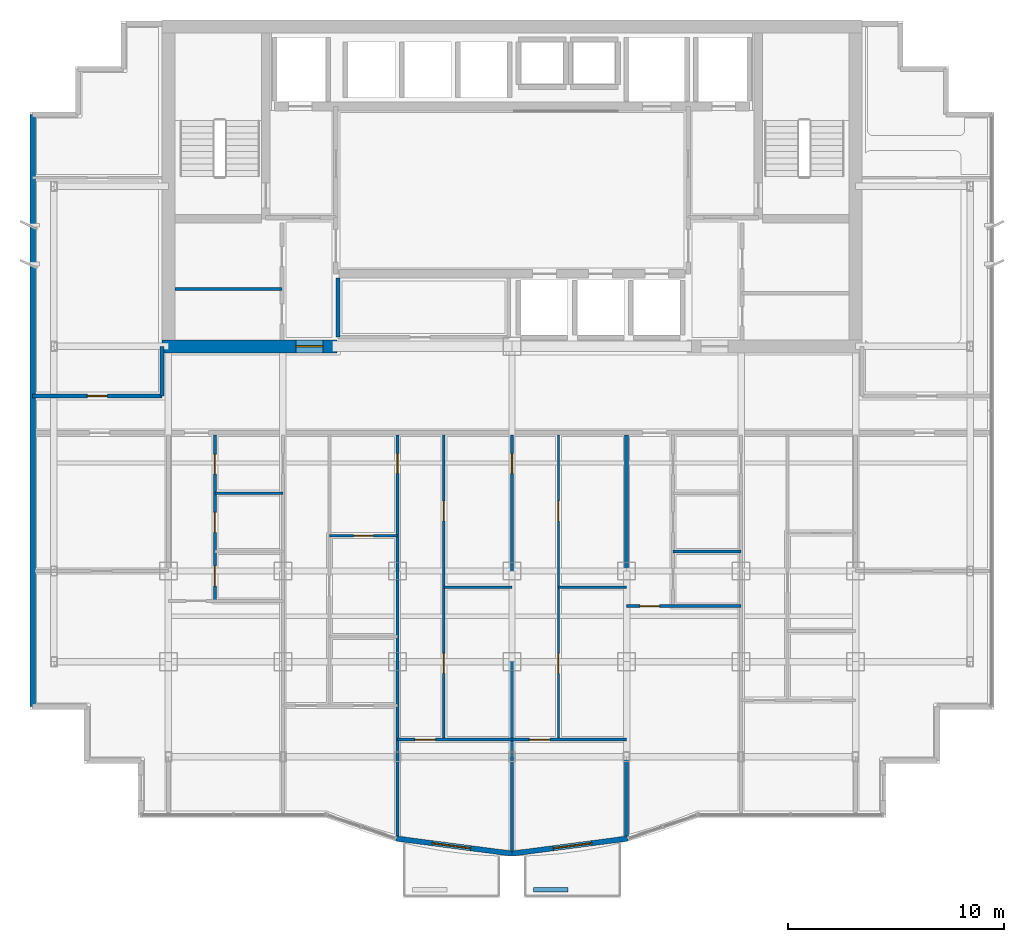
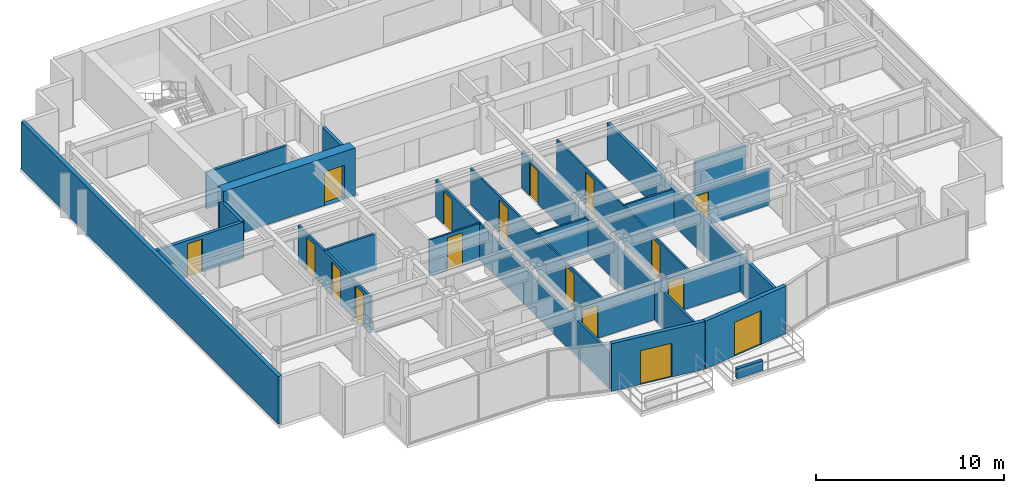
# One storey, part 8 of 13: 23 walls, 17 doors, 17 openings.
"""IFC4 building model written with IfcOpenShell, lengths in metres."""

from ifc_helpers import new_model, si_unit, direction, frame, frame_2d, origin, place, context, subcontext, project, spatial, rectangle, extrude, material, layer, layer_set, type_object, element, fill, save


model = new_model("IFC4")

# Units and contexts
model_context = context("Model", 3, precision=1e-05, world=origin(), true_north=direction((0.0, 1.0)))
body_context = subcontext(model_context, "Body", "Model", "MODEL_VIEW")
ifc_project = project(units=[si_unit("LENGTHUNIT", "METRE"), si_unit("AREAUNIT", "SQUARE_METRE"), si_unit("VOLUMEUNIT", "CUBIC_METRE"), si_unit("PLANEANGLEUNIT", "RADIAN"), si_unit("MASSUNIT", "GRAM", prefix="KILO")], contexts=[model_context])

# Site, building, storey
site_placement = place(None, origin())
site = spatial("IfcSite", under=ifc_project, at=site_placement, CompositionType="ELEMENT")
building_placement = place(site_placement, origin())
building = spatial("IfcBuilding", under=site, at=building_placement, Name="Qianlan Lanfeng Residences", CompositionType="ELEMENT")
storey_placement = place(building_placement, frame((0.0, 0.0, 178.800048828125)))
storey = spatial("IfcBuildingStorey", under=building, at=storey_placement, Name="L49", CompositionType="ELEMENT", Elevation=178.800048828125)

# Wall, opening, door
ifc_material_1 = material(Name="Concrete C56", Category="concrete")
ifc_layer_1 = layer(ifc_material_1, 0.60009765625)
ifc_layer_set_1 = layer_set([ifc_layer_1], Name="Concrete C56")
wall_type_1 = type_object("IfcWallType", Name="CW-RC-600", PredefinedType="SHEAR", material=ifc_layer_set_1)
wall_1_placement = place(storey_placement, frame((10.300048828125, 25.199951171875, 0.0), z_axis=(0.0, 0.0, 1.0), x_axis=(1.0, 0.0, 0.0)))
wall_1 = element("IfcWall", 1, at=wall_1_placement, inside=storey, type_object=wall_type_1, Name="L49 Core Shear Wall SW", PredefinedType="SHEAR", context=body_context, shape_type="SweptSolid", body=[
    extrude(rectangle(XDim=8.099853515625, YDim=0.60009765625, at=frame_2d((4.0498046875, 0.0))), origin(), (0.0, 0.0, 1.0), 3.099853515625),
])
opening_1_placement = place(wall_1_placement, frame((6.199951171875, 0.0, 0.0)))
opening_1 = element("IfcOpeningElement", 2, at=opening_1_placement, cuts=wall_1, Name="Opening L49-D01", PredefinedType="OPENING", context=body_context, shape_type="SweptSolid", body=[
    extrude(rectangle(XDim=1.25, YDim=2.199951171875, at=frame_2d((0.625, 1.10009765625))), frame((0.0, 0.31005859375, 0.0), z_axis=(0.0, -1.0, 0.0), x_axis=(1.0, 0.0, 0.0)), (0.0, 0.0, 1.0), 0.6201171875),
])
ifc_material_2 = material(Name="Painted Galvanised Steel Fire Door", Category="steel")
door_type_1 = type_object("IfcDoorType", Name="DT-FFL", OperationType="NOTDEFINED", PredefinedType="DOOR", material=ifc_material_2)
door_1_placement = place(opening_1_placement, frame((1.25, 0.0, 0.0), z_axis=(0.0, 0.0, 1.0), x_axis=(-1.0, 0.0, 0.0)))
door_1 = element("IfcDoor", 3, at=door_1_placement, inside=storey, type_object=door_type_1, Name="L49 West Core Lobby Smoke Door L49-D01 (DT-FFL)", OperationType="SINGLE_SWING_RIGHT", OverallHeight=2.199951171875, OverallWidth=1.25, PredefinedType="DOOR", context=body_context, shape_type="SweptSolid", body=[
    extrude(rectangle(XDim=1.25, YDim=2.199951171875, at=frame_2d((0.625, 1.10009765625))), frame((0.0, 0.02490234375, 0.0), z_axis=(0.0, -1.0, 0.0), x_axis=(1.0, 0.0, 0.0)), (0.0, 0.0, 1.0), 0.050048828125),
])
fill(opening_1, door_1)

ifc_material_3 = material(Name="Concrete C42", Category="concrete")
ifc_layer_2 = layer(ifc_material_3, 0.239990234375)
ifc_layer_set_2 = layer_set([ifc_layer_2], Name="Concrete C42")
wall_type_2 = type_object("IfcWallType", Name="EW-240", PredefinedType="SOLIDWALL", material=ifc_layer_set_2)
wall_2_placement = place(storey_placement, frame((21.14208984375, 2.4189453125, 0.0), z_axis=(0.0, 0.0, 1.0), x_axis=(0.991597639478, -0.129360432053, 0.0)))
wall_2 = element("IfcWall", 4, at=wall_2_placement, inside=storey, type_object=wall_type_2, Name="L49 Terrace/Balcony Access Exterior Wall 5", PredefinedType="SOLIDWALL", context=body_context, shape_type="SweptSolid", body=[
    extrude(rectangle(XDim=5.4033203125, YDim=0.239990234375, at=frame_2d((2.70166015625, 0.0))), origin(), (0.0, 0.0, 1.0), 3.099853515625),
])
opening_2_placement = place(wall_2_placement, frame((1.672119140625, 0.0, 0.0)))
opening_2 = element("IfcOpeningElement", 5, at=opening_2_placement, cuts=wall_2, Name="Opening L49-D-SB-W", PredefinedType="OPENING", context=body_context, shape_type="SweptSolid", body=[
    extrude(rectangle(XDim=1.800048828125, YDim=2.199951171875, at=frame_2d((0.89990234375, 1.10009765625))), frame((0.0, 0.1298828125, 0.0), z_axis=(0.0, -1.0, 0.0), x_axis=(1.0, 0.0, 0.0)), (0.0, 0.0, 1.0), 0.260009765625),
])
ifc_material_4 = material(Name="Anodised Bronze Aluminium Framed Glass", Category="aluminium")
door_type_2 = type_object("IfcDoorType", Name="DT-BAL1", OperationType="NOTDEFINED", PredefinedType="DOOR", material=ifc_material_4)
door_2_placement = place(opening_2_placement, frame((1.800048828125, 0.0, 0.0), z_axis=(0.0, 0.0, 1.0), x_axis=(-1.0, 0.0, 0.0)))
door_2 = element("IfcDoor", 6, at=door_2_placement, inside=storey, type_object=door_type_2, Name="L49 Exterior Access Door SB-W", OperationType="DOUBLE_DOOR_SLIDING", OverallHeight=2.199951171875, OverallWidth=1.800048828125, PredefinedType="DOOR", context=body_context, shape_type="SweptSolid", body=[
    extrude(rectangle(XDim=1.800048828125, YDim=2.199951171875, at=frame_2d((0.89990234375, 1.10009765625))), frame((0.0, 0.02490234375, 0.0), z_axis=(0.0, -1.0, 0.0), x_axis=(1.0, 0.0, 0.0)), (0.0, 0.0, 1.0), 0.050048828125),
])
fill(opening_2, door_2)

wall_3_placement = place(storey_placement, frame((26.5, 1.719970703125, 0.0), z_axis=(0.0, 0.0, 1.0), x_axis=(0.991594614239, 0.129383619568, 0.0)))
wall_3 = element("IfcWall", 7, at=wall_3_placement, inside=storey, type_object=wall_type_2, Name="L49 Terrace/Balcony Access Exterior Wall 6", PredefinedType="SOLIDWALL", context=body_context, shape_type="SweptSolid", body=[
    extrude(rectangle(XDim=5.40234375, YDim=0.239990234375, at=frame_2d((2.701171875, 0.0))), origin(), (0.0, 0.0, 1.0), 3.099853515625),
])
opening_3_placement = place(wall_3_placement, frame((1.930908203125, 0.0, 0.0)))
opening_3 = element("IfcOpeningElement", 8, at=opening_3_placement, cuts=wall_3, Name="Opening L49-D-SB-E", PredefinedType="OPENING", context=body_context, shape_type="SweptSolid", body=[
    extrude(rectangle(XDim=1.800048828125, YDim=2.199951171875, at=frame_2d((0.89990234375, 1.10009765625))), frame((0.0, 0.1298828125, 0.0), z_axis=(0.0, -1.0, 0.0), x_axis=(1.0, 0.0, 0.0)), (0.0, 0.0, 1.0), 0.260009765625),
])
door_3_placement = place(opening_3_placement, frame((1.800048828125, 0.0, 0.0), z_axis=(0.0, 0.0, 1.0), x_axis=(-1.0, 0.0, 0.0)))
door_3 = element("IfcDoor", 9, at=door_3_placement, inside=storey, type_object=door_type_2, Name="L49 Exterior Access Door SB-E", OperationType="DOUBLE_DOOR_SLIDING", OverallHeight=2.199951171875, OverallWidth=1.800048828125, PredefinedType="DOOR", context=body_context, shape_type="SweptSolid", body=[
    extrude(rectangle(XDim=1.800048828125, YDim=2.199951171875, at=frame_2d((0.89990234375, 1.10009765625))), frame((0.0, 0.02490234375, 0.0), z_axis=(0.0, -1.0, 0.0), x_axis=(1.0, 0.0, 0.0)), (0.0, 0.0, 1.0), 0.050048828125),
])
fill(opening_3, door_3)

# Walls
wall_4_placement = place(storey_placement, frame((4.320068359375, 35.929931640625, 0.0), z_axis=(0.0, 0.0, 1.0), x_axis=(0.0, -1.0, 0.0)))
element("IfcWall", 10, at=wall_4_placement, inside=storey, type_object=wall_type_2, Name="L49 Exterior Facade Spandrel Wall 21", PredefinedType="SOLIDWALL", context=body_context, shape_type="SweptSolid", body=[
    extrude(rectangle(XDim=27.409912109375, YDim=0.239990234375, at=frame_2d((13.705078125, 0.0))), origin(), (0.0, 0.0, 1.0), 3.099853515625),
])
ifc_layer_3 = layer(ifc_material_3, 0.199951171875)
ifc_layer_set_3 = layer_set([ifc_layer_3], Name="Concrete C42")
wall_type_3 = type_object("IfcWallType", Name="PL-TREE-200", PredefinedType="PARAPET", material=ifc_layer_set_3)
wall_5_placement = place(storey_placement, frame((27.5, 0.050048828125, 0.0), z_axis=(0.0, 0.0, 1.0), x_axis=(1.0, 0.0, 0.0)))
element("IfcWall", 11, at=wall_5_placement, inside=storey, type_object=wall_type_3, Name="L49 Balcony Tree Planter Curb SB-E", PredefinedType="PARAPET", context=body_context, shape_type="SweptSolid", body=[
    extrude(rectangle(XDim=1.60009765625, YDim=0.199951171875, at=frame_2d((0.800048828125, 0.0))), origin(), (0.0, 0.0, 1.0), 0.64990234375),
])

# Wall, opening, door
ifc_material_5 = material(Name="Demountable Acoustic Framing Partition 110 mm")
ifc_layer_4 = layer(ifc_material_5, 0.110107421875)
ifc_layer_set_4 = layer_set([ifc_layer_4], Name="Demountable Acoustic Framing Partition 110 mm")
wall_type_4 = type_object("IfcWallType", Name="PW-110", PredefinedType="MOVABLE", material=ifc_layer_set_4)
wall_6_placement = place(storey_placement, frame((18.050048828125, 16.43701171875, 0.0), z_axis=(0.0, 0.0, 1.0), x_axis=(1.0, 0.0, 0.0)))
wall_6 = element("IfcWall", 12, at=wall_6_placement, inside=storey, type_object=wall_type_4, Name="L49 U01 Wardrobe Split", PredefinedType="MOVABLE", context=body_context, shape_type="SweptSolid", body=[
    extrude(rectangle(XDim=3.14990234375, YDim=0.110107421875, at=frame_2d((1.574951171875, 0.0))), origin(), (0.0, 0.0, 1.0), 2.3798828125),
])
opening_4_placement = place(wall_6_placement, frame((1.114990234375, 0.0, 0.0)))
opening_4 = element("IfcOpeningElement", 13, at=opening_4_placement, cuts=wall_6, Name="Opening L49-D27", PredefinedType="OPENING", context=body_context, shape_type="SweptSolid", body=[
    extrude(rectangle(XDim=0.919921875, YDim=2.14990234375, at=frame_2d((0.4599609375, 1.074951171875))), frame((0.0, 0.06494140625, 0.0), z_axis=(0.0, -1.0, 0.0), x_axis=(1.0, 0.0, 0.0)), (0.0, 0.0, 1.0), 0.130126953125),
])
ifc_material_6 = material(Name="Glazed Timber Kitchen/Study Door", Category="wood")
door_type_3 = type_object("IfcDoorType", Name="DT-INT", OperationType="NOTDEFINED", PredefinedType="DOOR", material=ifc_material_6)
door_4_placement = place(opening_4_placement, origin())
door_4 = element("IfcDoor", 14, at=door_4_placement, inside=storey, type_object=door_type_3, Name="L49 U01 Dressing Inner Door L49-D27 (DT-INT)", OperationType="SINGLE_SWING_LEFT", OverallHeight=2.14990234375, OverallWidth=0.919921875, PredefinedType="DOOR", context=body_context, shape_type="SweptSolid", body=[
    extrude(rectangle(XDim=0.919921875, YDim=2.14990234375, at=frame_2d((0.4599609375, 1.074951171875))), frame((0.0, 0.02490234375, 0.0), z_axis=(0.0, -1.0, 0.0), x_axis=(1.0, 0.0, 0.0)), (0.0, 0.0, 1.0), 0.050048828125),
])
fill(opening_4, door_4)

# Wall, openings, doors
wall_7_placement = place(storey_placement, frame((23.35009765625, 6.9990234375, 0.0), z_axis=(0.0, 0.0, 1.0), x_axis=(0.0, 1.0, 0.0)))
wall_7 = element("IfcWall", 15, at=wall_7_placement, inside=storey, type_object=wall_type_4, Name="L49 U01 Bedroom 2 Hall Wall", PredefinedType="MOVABLE", context=body_context, shape_type="SweptSolid", body=[
    extrude(rectangle(XDim=14.10107421875, YDim=0.110107421875, at=frame_2d((7.050537109375, 0.0))), origin(), (0.0, 0.0, 1.0), 2.3798828125),
])
opening_5_placement = place(wall_7_placement, frame((3.06591796875, 0.0, 0.0)))
opening_5 = element("IfcOpeningElement", 16, at=opening_5_placement, cuts=wall_7, Name="Opening L49-D29", PredefinedType="OPENING", context=body_context, shape_type="SweptSolid", body=[
    extrude(rectangle(XDim=0.919921875, YDim=2.14990234375, at=frame_2d((0.4599609375, 1.074951171875))), frame((0.0, 0.06494140625, 0.0), z_axis=(0.0, -1.0, 0.0), x_axis=(1.0, 0.0, 0.0)), (0.0, 0.0, 1.0), 0.130126953125),
])
opening_6_placement = place(wall_7_placement, frame((10.115966796875, 0.0, 0.0)))
opening_6 = element("IfcOpeningElement", 17, at=opening_6_placement, cuts=wall_7, Name="Opening L49-D30", PredefinedType="OPENING", context=body_context, shape_type="SweptSolid", body=[
    extrude(rectangle(XDim=0.919921875, YDim=2.14990234375, at=frame_2d((0.4599609375, 1.074951171875))), frame((0.0, 0.06494140625, 0.0), z_axis=(0.0, -1.0, 0.0), x_axis=(1.0, 0.0, 0.0)), (0.0, 0.0, 1.0), 0.130126953125),
])
door_5_placement = place(opening_5_placement, origin())
door_5 = element("IfcDoor", 18, at=door_5_placement, inside=storey, type_object=door_type_3, Name="L49 U01 Utility Door L49-D29 (DT-INT)", OperationType="SINGLE_SWING_LEFT", OverallHeight=2.14990234375, OverallWidth=0.919921875, PredefinedType="DOOR", context=body_context, shape_type="SweptSolid", body=[
    extrude(rectangle(XDim=0.919921875, YDim=2.14990234375, at=frame_2d((0.4599609375, 1.074951171875))), frame((0.0, 0.02490234375, 0.0), z_axis=(0.0, -1.0, 0.0), x_axis=(1.0, 0.0, 0.0)), (0.0, 0.0, 1.0), 0.050048828125),
])
fill(opening_5, door_5)
door_6_placement = place(opening_6_placement, origin())
door_6 = element("IfcDoor", 19, at=door_6_placement, inside=storey, type_object=door_type_3, Name="L49 U01 Specialty Door L49-D30 (DT-INT)", OperationType="SINGLE_SWING_RIGHT", OverallHeight=2.14990234375, OverallWidth=0.919921875, PredefinedType="DOOR", context=body_context, shape_type="SweptSolid", body=[
    extrude(rectangle(XDim=0.919921875, YDim=2.14990234375, at=frame_2d((0.4599609375, 1.074951171875))), frame((0.0, 0.02490234375, 0.0), z_axis=(0.0, -1.0, 0.0), x_axis=(1.0, 0.0, 0.0)), (0.0, 0.0, 1.0), 0.050048828125),
])
fill(opening_6, door_6)

# Wall
wall_8_placement = place(storey_placement, frame((23.35009765625, 14.050048828125, 0.0), z_axis=(0.0, 0.0, 1.0), x_axis=(1.0, 0.0, 0.0)))
element("IfcWall", 20, at=wall_8_placement, inside=storey, type_object=wall_type_4, Name="L49 U01 Specialty Split Wall", PredefinedType="MOVABLE", context=body_context, shape_type="SweptSolid", body=[
    extrude(rectangle(XDim=3.14990234375, YDim=0.110107421875, at=frame_2d((1.574951171875, 0.0))), origin(), (0.0, 0.0, 1.0), 2.3798828125),
])

# Wall, openings, doors
wall_9_placement = place(storey_placement, frame((28.64990234375, 6.9990234375, 0.0), z_axis=(0.0, 0.0, 1.0), x_axis=(0.0, 1.0, 0.0)))
wall_9 = element("IfcWall", 21, at=wall_9_placement, inside=storey, type_object=wall_type_4, Name="L49 U01 Bedroom 3 Hall Wall", PredefinedType="MOVABLE", context=body_context, shape_type="SweptSolid", body=[
    extrude(rectangle(XDim=14.10107421875, YDim=0.110107421875, at=frame_2d((7.050537109375, 0.0))), origin(), (0.0, 0.0, 1.0), 2.3798828125),
])
opening_7_placement = place(wall_9_placement, frame((3.06591796875, 0.0, 0.0)))
opening_7 = element("IfcOpeningElement", 22, at=opening_7_placement, cuts=wall_9, Name="Opening L49-D32", PredefinedType="OPENING", context=body_context, shape_type="SweptSolid", body=[
    extrude(rectangle(XDim=0.919921875, YDim=2.14990234375, at=frame_2d((0.4599609375, 1.074951171875))), frame((0.0, 0.06494140625, 0.0), z_axis=(0.0, -1.0, 0.0), x_axis=(1.0, 0.0, 0.0)), (0.0, 0.0, 1.0), 0.130126953125),
])
opening_8_placement = place(wall_9_placement, frame((10.115966796875, 0.0, 0.0)))
opening_8 = element("IfcOpeningElement", 23, at=opening_8_placement, cuts=wall_9, Name="Opening L49-D33", PredefinedType="OPENING", context=body_context, shape_type="SweptSolid", body=[
    extrude(rectangle(XDim=0.919921875, YDim=2.14990234375, at=frame_2d((0.4599609375, 1.074951171875))), frame((0.0, 0.06494140625, 0.0), z_axis=(0.0, -1.0, 0.0), x_axis=(1.0, 0.0, 0.0)), (0.0, 0.0, 1.0), 0.130126953125),
])
door_7_placement = place(opening_7_placement, origin())
door_7 = element("IfcDoor", 24, at=door_7_placement, inside=storey, type_object=door_type_3, Name="L49 U01 Utility Door L49-D32 (DT-INT)", OperationType="SINGLE_SWING_RIGHT", OverallHeight=2.14990234375, OverallWidth=0.919921875, PredefinedType="DOOR", context=body_context, shape_type="SweptSolid", body=[
    extrude(rectangle(XDim=0.919921875, YDim=2.14990234375, at=frame_2d((0.4599609375, 1.074951171875))), frame((0.0, 0.02490234375, 0.0), z_axis=(0.0, -1.0, 0.0), x_axis=(1.0, 0.0, 0.0)), (0.0, 0.0, 1.0), 0.050048828125),
])
fill(opening_7, door_7)
door_8_placement = place(opening_8_placement, origin())
door_8 = element("IfcDoor", 25, at=door_8_placement, inside=storey, type_object=door_type_3, Name="L49 U01 Specialty Door L49-D33 (DT-INT)", OperationType="SINGLE_SWING_LEFT", OverallHeight=2.14990234375, OverallWidth=0.919921875, PredefinedType="DOOR", context=body_context, shape_type="SweptSolid", body=[
    extrude(rectangle(XDim=0.919921875, YDim=2.14990234375, at=frame_2d((0.4599609375, 1.074951171875))), frame((0.0, 0.02490234375, 0.0), z_axis=(0.0, -1.0, 0.0), x_axis=(1.0, 0.0, 0.0)), (0.0, 0.0, 1.0), 0.050048828125),
])
fill(opening_8, door_8)

# Wall
wall_10_placement = place(storey_placement, frame((28.64990234375, 14.050048828125, 0.0), z_axis=(0.0, 0.0, 1.0), x_axis=(1.0, 0.0, 0.0)))
element("IfcWall", 26, at=wall_10_placement, inside=storey, type_object=wall_type_4, Name="L49 U01 Specialty Split Wall", PredefinedType="MOVABLE", context=body_context, shape_type="SweptSolid", body=[
    extrude(rectangle(XDim=3.150146484375, YDim=0.110107421875, at=frame_2d((1.5751953125, 0.0))), origin(), (0.0, 0.0, 1.0), 2.3798828125),
])

# Wall, opening, door
ifc_material_7 = material(Name="Moisture-Resistant Gypsum Partition 135 mm")
ifc_layer_5 = layer(ifc_material_7, 0.135009765625)
ifc_layer_set_5 = layer_set([ifc_layer_5], Name="Moisture-Resistant Gypsum Partition 135 mm")
wall_type_5 = type_object("IfcWallType", Name="PW-135", PredefinedType="PARTITIONING", material=ifc_layer_set_5)
wall_11_placement = place(storey_placement, frame((21.199951171875, 2.508056640625, 0.0), z_axis=(0.0, 0.0, 1.0), x_axis=(0.0, 1.0, 0.0)))
wall_11 = element("IfcWall", 27, at=wall_11_placement, inside=storey, type_object=wall_type_5, Name="L49 U01 Bay Spine Wall 2", PredefinedType="PARTITIONING", context=body_context, shape_type="SweptSolid", body=[
    extrude(rectangle(XDim=18.592041015625, YDim=0.135009765625, at=frame_2d((9.2958984375, 0.0))), origin(), (0.0, 0.0, 1.0), 2.3798828125),
])
opening_9_placement = place(wall_11_placement, frame((16.806884765625, 0.0, 0.0)))
opening_9 = element("IfcOpeningElement", 28, at=opening_9_placement, cuts=wall_11, Name="Opening L49-D18", PredefinedType="OPENING", context=body_context, shape_type="SweptSolid", body=[
    extrude(rectangle(XDim=0.919921875, YDim=2.14990234375, at=frame_2d((0.4599609375, 1.074951171875))), frame((0.0, 0.07763671875, 0.0), z_axis=(0.0, -1.0, 0.0), x_axis=(1.0, 0.0, 0.0)), (0.0, 0.0, 1.0), 0.155029296875),
])
door_9_placement = place(opening_9_placement, origin())
door_9 = element("IfcDoor", 29, at=door_9_placement, inside=storey, type_object=door_type_3, Name="L49 U01 Internal Hall Door L49-D18 (DT-INT)", OperationType="SINGLE_SWING_RIGHT", OverallHeight=2.14990234375, OverallWidth=0.919921875, PredefinedType="DOOR", context=body_context, shape_type="SweptSolid", body=[
    extrude(rectangle(XDim=0.919921875, YDim=2.14990234375, at=frame_2d((0.4599609375, 1.074951171875))), frame((0.0, 0.02490234375, 0.0), z_axis=(0.0, -1.0, 0.0), x_axis=(1.0, 0.0, 0.0)), (0.0, 0.0, 1.0), 0.050048828125),
])
fill(opening_9, door_9)

wall_12_placement = place(storey_placement, frame((26.5, 1.820068359375, 0.0), z_axis=(0.0, 0.0, 1.0), x_axis=(0.0, 1.0, 0.0)))
wall_12 = element("IfcWall", 30, at=wall_12_placement, inside=storey, type_object=wall_type_5, Name="L49 U01 Bay Spine Wall 3", PredefinedType="PARTITIONING", context=body_context, shape_type="SweptSolid", body=[
    extrude(rectangle(XDim=19.280029296875, YDim=0.135009765625, at=frame_2d((9.64013671875, 0.0))), origin(), (0.0, 0.0, 1.0), 2.3798828125),
])
opening_10_placement = place(wall_12_placement, frame((17.4951171875, 0.0, 0.0)))
opening_10 = element("IfcOpeningElement", 31, at=opening_10_placement, cuts=wall_12, Name="Opening L49-D19", PredefinedType="OPENING", context=body_context, shape_type="SweptSolid", body=[
    extrude(rectangle(XDim=0.919921875, YDim=2.14990234375, at=frame_2d((0.4599609375, 1.074951171875))), frame((0.0, 0.07763671875, 0.0), z_axis=(0.0, -1.0, 0.0), x_axis=(1.0, 0.0, 0.0)), (0.0, 0.0, 1.0), 0.155029296875),
])
door_10_placement = place(opening_10_placement, origin())
door_10 = element("IfcDoor", 32, at=door_10_placement, inside=storey, type_object=door_type_3, Name="L49 U01 Internal Hall Door L49-D19 (DT-INT)", OperationType="SINGLE_SWING_LEFT", OverallHeight=2.14990234375, OverallWidth=0.919921875, PredefinedType="DOOR", context=body_context, shape_type="SweptSolid", body=[
    extrude(rectangle(XDim=0.919921875, YDim=2.14990234375, at=frame_2d((0.4599609375, 1.074951171875))), frame((0.0, 0.02490234375, 0.0), z_axis=(0.0, -1.0, 0.0), x_axis=(1.0, 0.0, 0.0)), (0.0, 0.0, 1.0), 0.050048828125),
])
fill(opening_10, door_10)

# Wall, openings, doors
wall_13_placement = place(storey_placement, frame((12.75, 13.419921875, 0.0), z_axis=(0.0, 0.0, 1.0), x_axis=(0.0, 1.0, 0.0)))
wall_13 = element("IfcWall", 33, at=wall_13_placement, inside=storey, type_object=wall_type_5, Name="L49 U01 Entry Hall Spine", PredefinedType="PARTITIONING", context=body_context, shape_type="SweptSolid", body=[
    extrude(rectangle(XDim=7.68017578125, YDim=0.135009765625, at=frame_2d((3.840087890625, 0.0))), origin(), (0.0, 0.0, 1.0), 2.3798828125),
])
opening_11_placement = place(wall_13_placement, frame((0.679931640625, 0.0, 0.0)))
opening_11 = element("IfcOpeningElement", 34, at=opening_11_placement, cuts=wall_13, Name="Opening L49-D21", PredefinedType="OPENING", context=body_context, shape_type="SweptSolid", body=[
    extrude(rectangle(XDim=0.919921875, YDim=2.14990234375, at=frame_2d((0.4599609375, 1.074951171875))), frame((0.0, 0.07763671875, 0.0), z_axis=(0.0, -1.0, 0.0), x_axis=(1.0, 0.0, 0.0)), (0.0, 0.0, 1.0), 0.155029296875),
])
opening_12_placement = place(wall_13_placement, frame((3.169921875, 0.0, 0.0)))
opening_12 = element("IfcOpeningElement", 35, at=opening_12_placement, cuts=wall_13, Name="Opening L49-D22", PredefinedType="OPENING", context=body_context, shape_type="SweptSolid", body=[
    extrude(rectangle(XDim=0.919921875, YDim=2.14990234375, at=frame_2d((0.4599609375, 1.074951171875))), frame((0.0, 0.07763671875, 0.0), z_axis=(0.0, -1.0, 0.0), x_axis=(1.0, 0.0, 0.0)), (0.0, 0.0, 1.0), 0.155029296875),
])
opening_13_placement = place(wall_13_placement, frame((5.8798828125, 0.0, 0.0)))
opening_13 = element("IfcOpeningElement", 36, at=opening_13_placement, cuts=wall_13, Name="Opening L49-D23", PredefinedType="OPENING", context=body_context, shape_type="SweptSolid", body=[
    extrude(rectangle(XDim=0.89990234375, YDim=2.14990234375, at=frame_2d((0.449951171875, 1.074951171875))), frame((0.0, 0.07763671875, 0.0), z_axis=(0.0, -1.0, 0.0), x_axis=(1.0, 0.0, 0.0)), (0.0, 0.0, 1.0), 0.155029296875),
])
door_11_placement = place(opening_11_placement, origin())
door_11 = element("IfcDoor", 37, at=door_11_placement, inside=storey, type_object=door_type_3, Name="L49 U01 Study Door L49-D21 (DT-INT)", OperationType="SINGLE_SWING_RIGHT", OverallHeight=2.14990234375, OverallWidth=0.919921875, PredefinedType="DOOR", context=body_context, shape_type="SweptSolid", body=[
    extrude(rectangle(XDim=0.919921875, YDim=2.14990234375, at=frame_2d((0.4599609375, 1.074951171875))), frame((0.0, 0.02490234375, 0.0), z_axis=(0.0, -1.0, 0.0), x_axis=(1.0, 0.0, 0.0)), (0.0, 0.0, 1.0), 0.050048828125),
])
fill(opening_11, door_11)
door_12_placement = place(opening_12_placement, origin())
door_12 = element("IfcDoor", 38, at=door_12_placement, inside=storey, type_object=door_type_3, Name="L49 U01 Kitchen Door L49-D22 (DT-INT)", OperationType="SINGLE_SWING_RIGHT", OverallHeight=2.14990234375, OverallWidth=0.919921875, PredefinedType="DOOR", context=body_context, shape_type="SweptSolid", body=[
    extrude(rectangle(XDim=0.919921875, YDim=2.14990234375, at=frame_2d((0.4599609375, 1.074951171875))), frame((0.0, 0.02490234375, 0.0), z_axis=(0.0, -1.0, 0.0), x_axis=(1.0, 0.0, 0.0)), (0.0, 0.0, 1.0), 0.050048828125),
])
fill(opening_12, door_12)
ifc_material_8 = material(Name="Moisture-Resistant Timber Leaf", Category="wood")
door_type_4 = type_object("IfcDoorType", Name="DT-WC", OperationType="NOTDEFINED", PredefinedType="DOOR", material=ifc_material_8)
door_13_placement = place(opening_13_placement, origin())
door_13 = element("IfcDoor", 39, at=door_13_placement, inside=storey, type_object=door_type_4, Name="L49 U01 Bathroom Door L49-D23 (DT-WC)", OperationType="SINGLE_SWING_LEFT", OverallHeight=2.14990234375, OverallWidth=0.89990234375, PredefinedType="DOOR", context=body_context, shape_type="SweptSolid", body=[
    extrude(rectangle(XDim=0.89990234375, YDim=2.14990234375, at=frame_2d((0.449951171875, 1.074951171875))), frame((0.0, 0.02490234375, 0.0), z_axis=(0.0, -1.0, 0.0), x_axis=(1.0, 0.0, 0.0)), (0.0, 0.0, 1.0), 0.050048828125),
])
fill(opening_13, door_13)

# Wall
wall_14_placement = place(storey_placement, frame((12.75, 18.39990234375, 0.0), z_axis=(0.0, 0.0, 1.0), x_axis=(1.0, 0.0, 0.0)))
element("IfcWall", 40, at=wall_14_placement, inside=storey, type_object=wall_type_5, Name="L49 U01 Bathroom South Wall", PredefinedType="PARTITIONING", context=body_context, shape_type="SweptSolid", body=[
    extrude(rectangle(XDim=3.14990234375, YDim=0.135009765625, at=frame_2d((1.574951171875, 0.0))), origin(), (0.0, 0.0, 1.0), 2.3798828125),
])

# Wall, opening, door
wall_15_placement = place(storey_placement, frame((21.199951171875, 6.9990234375, 0.0), z_axis=(0.0, 0.0, 1.0), x_axis=(1.0, 0.0, 0.0)))
wall_15 = element("IfcWall", 41, at=wall_15_placement, inside=storey, type_object=wall_type_5, Name="L49 U01 Bedroom 2 North Wall", PredefinedType="PARTITIONING", context=body_context, shape_type="SweptSolid", body=[
    extrude(rectangle(XDim=5.300048828125, YDim=0.135009765625, at=frame_2d((2.64990234375, 0.0))), origin(), (0.0, 0.0, 1.0), 2.3798828125),
])
opening_14_placement = place(wall_15_placement, frame((0.800048828125, 0.0, 0.0)))
opening_14 = element("IfcOpeningElement", 42, at=opening_14_placement, cuts=wall_15, Name="Opening L49-D28", PredefinedType="OPENING", context=body_context, shape_type="SweptSolid", body=[
    extrude(rectangle(XDim=0.949951171875, YDim=2.14990234375, at=frame_2d((0.47509765625, 1.074951171875))), frame((0.0, 0.07763671875, 0.0), z_axis=(0.0, -1.0, 0.0), x_axis=(1.0, 0.0, 0.0)), (0.0, 0.0, 1.0), 0.155029296875),
])
ifc_material_9 = material(Name="Painted Solid-Core Timber Leaf", Category="wood")
door_type_5 = type_object("IfcDoorType", Name="DT-BED", OperationType="NOTDEFINED", PredefinedType="DOOR", material=ifc_material_9)
door_14_placement = place(opening_14_placement, origin())
door_14 = element("IfcDoor", 43, at=door_14_placement, inside=storey, type_object=door_type_5, Name="L49 U01 Bedroom 2 Door L49-D28 (DT-BED)", OperationType="SINGLE_SWING_LEFT", OverallHeight=2.14990234375, OverallWidth=0.949951171875, PredefinedType="DOOR", context=body_context, shape_type="SweptSolid", body=[
    extrude(rectangle(XDim=0.949951171875, YDim=2.14990234375, at=frame_2d((0.47509765625, 1.074951171875))), frame((0.0, 0.02490234375, 0.0), z_axis=(0.0, -1.0, 0.0), x_axis=(1.0, 0.0, 0.0)), (0.0, 0.0, 1.0), 0.050048828125),
])
fill(opening_14, door_14)

wall_16_placement = place(storey_placement, frame((26.5, 6.9990234375, 0.0), z_axis=(0.0, 0.0, 1.0), x_axis=(1.0, 0.0, 0.0)))
wall_16 = element("IfcWall", 44, at=wall_16_placement, inside=storey, type_object=wall_type_5, Name="L49 U01 Bedroom 3 North Wall", PredefinedType="PARTITIONING", context=body_context, shape_type="SweptSolid", body=[
    extrude(rectangle(XDim=5.300048828125, YDim=0.135009765625, at=frame_2d((2.64990234375, 0.0))), origin(), (0.0, 0.0, 1.0), 2.3798828125),
])
opening_15_placement = place(wall_16_placement, frame((0.800048828125, 0.0, 0.0)))
opening_15 = element("IfcOpeningElement", 45, at=opening_15_placement, cuts=wall_16, Name="Opening L49-D31", PredefinedType="OPENING", context=body_context, shape_type="SweptSolid", body=[
    extrude(rectangle(XDim=0.949951171875, YDim=2.14990234375, at=frame_2d((0.47509765625, 1.074951171875))), frame((0.0, 0.07763671875, 0.0), z_axis=(0.0, -1.0, 0.0), x_axis=(1.0, 0.0, 0.0)), (0.0, 0.0, 1.0), 0.155029296875),
])
door_15_placement = place(opening_15_placement, origin())
door_15 = element("IfcDoor", 46, at=door_15_placement, inside=storey, type_object=door_type_5, Name="L49 U01 Bedroom 3 Door L49-D31 (DT-BED)", OperationType="SINGLE_SWING_LEFT", OverallHeight=2.14990234375, OverallWidth=0.949951171875, PredefinedType="DOOR", context=body_context, shape_type="SweptSolid", body=[
    extrude(rectangle(XDim=0.949951171875, YDim=2.14990234375, at=frame_2d((0.47509765625, 1.074951171875))), frame((0.0, 0.02490234375, 0.0), z_axis=(0.0, -1.0, 0.0), x_axis=(1.0, 0.0, 0.0)), (0.0, 0.0, 1.0), 0.050048828125),
])
fill(opening_15, door_15)

wall_17_placement = place(storey_placement, frame((31.800048828125, 13.174072265625, 0.0), z_axis=(0.0, 0.0, 1.0), x_axis=(1.0, 0.0, 0.0)))
wall_17 = element("IfcWall", 47, at=wall_17_placement, inside=storey, type_object=wall_type_5, Name="L49 U02 Living Divider", PredefinedType="PARTITIONING", context=body_context, shape_type="SweptSolid", body=[
    extrude(rectangle(XDim=5.300048828125, YDim=0.135009765625, at=frame_2d((2.64990234375, 0.0))), origin(), (0.0, 0.0, 1.0), 2.3798828125),
])
opening_16_placement = place(wall_17_placement, frame((0.614990234375, 0.0, 0.0)))
opening_16 = element("IfcOpeningElement", 48, at=opening_16_placement, cuts=wall_17, Name="Opening L49-D36", PredefinedType="OPENING", context=body_context, shape_type="SweptSolid", body=[
    extrude(rectangle(XDim=0.919921875, YDim=2.14990234375, at=frame_2d((0.4599609375, 1.074951171875))), frame((0.0, 0.07763671875, 0.0), z_axis=(0.0, -1.0, 0.0), x_axis=(1.0, 0.0, 0.0)), (0.0, 0.0, 1.0), 0.155029296875),
])
door_16_placement = place(opening_16_placement, frame((0.919921875, 0.0, 0.0), z_axis=(0.0, 0.0, 1.0), x_axis=(-1.0, 0.0, 0.0)))
door_16 = element("IfcDoor", 49, at=door_16_placement, inside=storey, type_object=door_type_3, Name="L49 U02 Living Passage Door L49-D36 (DT-INT)", OperationType="SINGLE_SWING_RIGHT", OverallHeight=2.14990234375, OverallWidth=0.919921875, PredefinedType="DOOR", context=body_context, shape_type="SweptSolid", body=[
    extrude(rectangle(XDim=0.919921875, YDim=2.14990234375, at=frame_2d((0.4599609375, 1.074951171875))), frame((0.0, 0.02490234375, 0.0), z_axis=(0.0, -1.0, 0.0), x_axis=(1.0, 0.0, 0.0)), (0.0, 0.0, 1.0), 0.050048828125),
])
fill(opening_16, door_16)

# Walls
wall_18_placement = place(storey_placement, frame((33.949951171875, 15.699951171875, 0.0), z_axis=(0.0, 0.0, 1.0), x_axis=(1.0, 0.0, 0.0)))
element("IfcWall", 50, at=wall_18_placement, inside=storey, type_object=wall_type_5, Name="L49 U02 Kitchen South Wall", PredefinedType="PARTITIONING", context=body_context, shape_type="SweptSolid", body=[
    extrude(rectangle(XDim=3.150146484375, YDim=0.135009765625, at=frame_2d((1.5751953125, 0.0))), origin(), (0.0, 0.0, 1.0), 2.3798828125),
])
ifc_material_10 = material(Name="Acoustic Drywall Partition 150 mm")
ifc_layer_6 = layer(ifc_material_10, 0.14990234375)
ifc_layer_set_6 = layer_set([ifc_layer_6], Name="Acoustic Drywall Partition 150 mm")
wall_type_6 = type_object("IfcWallType", Name="PW-150", PredefinedType="PARTITIONING", material=ifc_layer_set_6)
wall_19_placement = place(storey_placement, frame((10.89990234375, 27.85009765625, 0.0), z_axis=(0.0, 0.0, 1.0), x_axis=(1.0, 0.0, 0.0)))
element("IfcWall", 51, at=wall_19_placement, inside=storey, type_object=wall_type_6, Name="L49 Core West Split", PredefinedType="PARTITIONING", context=body_context, shape_type="SweptSolid", body=[
    extrude(rectangle(XDim=4.9501953125, YDim=0.14990234375, at=frame_2d((2.47509765625, 0.0))), origin(), (0.0, 0.0, 1.0), 2.3798828125),
])
ifc_material_11 = material(Name="Double-Layer Acoustic Gypsum Stud Wall 180 mm")
ifc_layer_7 = layer(ifc_material_11, 0.179931640625)
ifc_layer_set_7 = layer_set([ifc_layer_7], Name="Double-Layer Acoustic Gypsum Stud Wall 180 mm")
wall_type_7 = type_object("IfcWallType", Name="PW-180", PredefinedType="PARTITIONING", material=ifc_layer_set_7)
wall_20_placement = place(storey_placement, frame((18.449951171875, 25.6201171875, 0.0), z_axis=(0.0, 0.0, 1.0), x_axis=(0.0, 1.0, 0.0)))
element("IfcWall", 52, at=wall_20_placement, inside=storey, type_object=wall_type_7, Name="L49 Reclaimed Low-Bank Room West Wall", PredefinedType="PARTITIONING", context=body_context, shape_type="SweptSolid", body=[
    extrude(rectangle(XDim=2.72998046875, YDim=0.179931640625, at=frame_2d((1.364990234375, 0.0))), origin(), (0.0, 0.0, 1.0), 2.3798828125),
])
wall_21_placement = place(storey_placement, frame((31.800048828125, 2.509033203125, 0.0), z_axis=(0.0, 0.0, 1.0), x_axis=(0.0, 1.0, 0.0)))
element("IfcWall", 53, at=wall_21_placement, inside=storey, type_object=wall_type_7, Name="L49 Inter-Tenancy Party Wall 2", PredefinedType="PARTITIONING", context=body_context, shape_type="SweptSolid", body=[
    extrude(rectangle(XDim=18.591064453125, YDim=0.179931640625, at=frame_2d((9.29541015625, 0.0))), origin(), (0.0, 0.0, 1.0), 2.3798828125),
])

# Wall, opening, door
ifc_material_12 = material(Name="Autoclaved Aerated Concrete Blockwork 200 mm", Category="masonry")
ifc_layer_8 = layer(ifc_material_12, 0.199951171875)
ifc_layer_set_8 = layer_set([ifc_layer_8], Name="Autoclaved Aerated Concrete Blockwork 200 mm")
wall_type_8 = type_object("IfcWallType", Name="PW-200", PredefinedType="PARTITIONING", material=ifc_layer_set_8)
wall_22_placement = place(storey_placement, frame((4.320068359375, 22.89990234375, 0.0), z_axis=(0.0, 0.0, 1.0), x_axis=(1.0, 0.0, 0.0)))
wall_22 = element("IfcWall", 54, at=wall_22_placement, inside=storey, type_object=wall_type_8, Name="L49 Corridor NW Wall", PredefinedType="PARTITIONING", context=body_context, shape_type="SweptSolid", body=[
    extrude(rectangle(XDim=5.97998046875, YDim=0.199951171875, at=frame_2d((2.989990234375, 0.0))), origin(), (0.0, 0.0, 1.0), 2.3798828125),
])
opening_17_placement = place(wall_22_placement, frame((2.530029296875, 0.0, 0.0)))
opening_17 = element("IfcOpeningElement", 55, at=opening_17_placement, cuts=wall_22, Name="Opening L49-D49", PredefinedType="OPENING", context=body_context, shape_type="SweptSolid", body=[
    extrude(rectangle(XDim=0.919921875, YDim=2.14990234375, at=frame_2d((0.4599609375, 1.074951171875))), frame((0.0, 0.10986328125, 0.0), z_axis=(0.0, -1.0, 0.0), x_axis=(1.0, 0.0, 0.0)), (0.0, 0.0, 1.0), 0.219970703125),
])
door_17_placement = place(opening_17_placement, origin())
door_17 = element("IfcDoor", 56, at=door_17_placement, inside=storey, type_object=door_type_3, Name="L49 WW Amenity Salon Door L49-D49 (DT-INT)", OperationType="SINGLE_SWING_LEFT", OverallHeight=2.14990234375, OverallWidth=0.919921875, PredefinedType="DOOR", context=body_context, shape_type="SweptSolid", body=[
    extrude(rectangle(XDim=0.919921875, YDim=2.14990234375, at=frame_2d((0.4599609375, 1.074951171875))), frame((0.0, 0.02490234375, 0.0), z_axis=(0.0, -1.0, 0.0), x_axis=(1.0, 0.0, 0.0)), (0.0, 0.0, 1.0), 0.050048828125),
])
fill(opening_17, door_17)

# Wall
wall_23_placement = place(storey_placement, frame((10.300048828125, 22.89990234375, 0.0), z_axis=(0.0, 0.0, 1.0), x_axis=(0.0, 1.0, 0.0)))
element("IfcWall", 57, at=wall_23_placement, inside=storey, type_object=wall_type_8, Name="L49 NW Wing Core Return Wall", PredefinedType="PARTITIONING", context=body_context, shape_type="SweptSolid", body=[
    extrude(rectangle(XDim=2.300048828125, YDim=0.199951171875, at=frame_2d((1.14990234375, 0.0))), origin(), (0.0, 0.0, 1.0), 2.3798828125),
])

save(model, "model.ifc")
